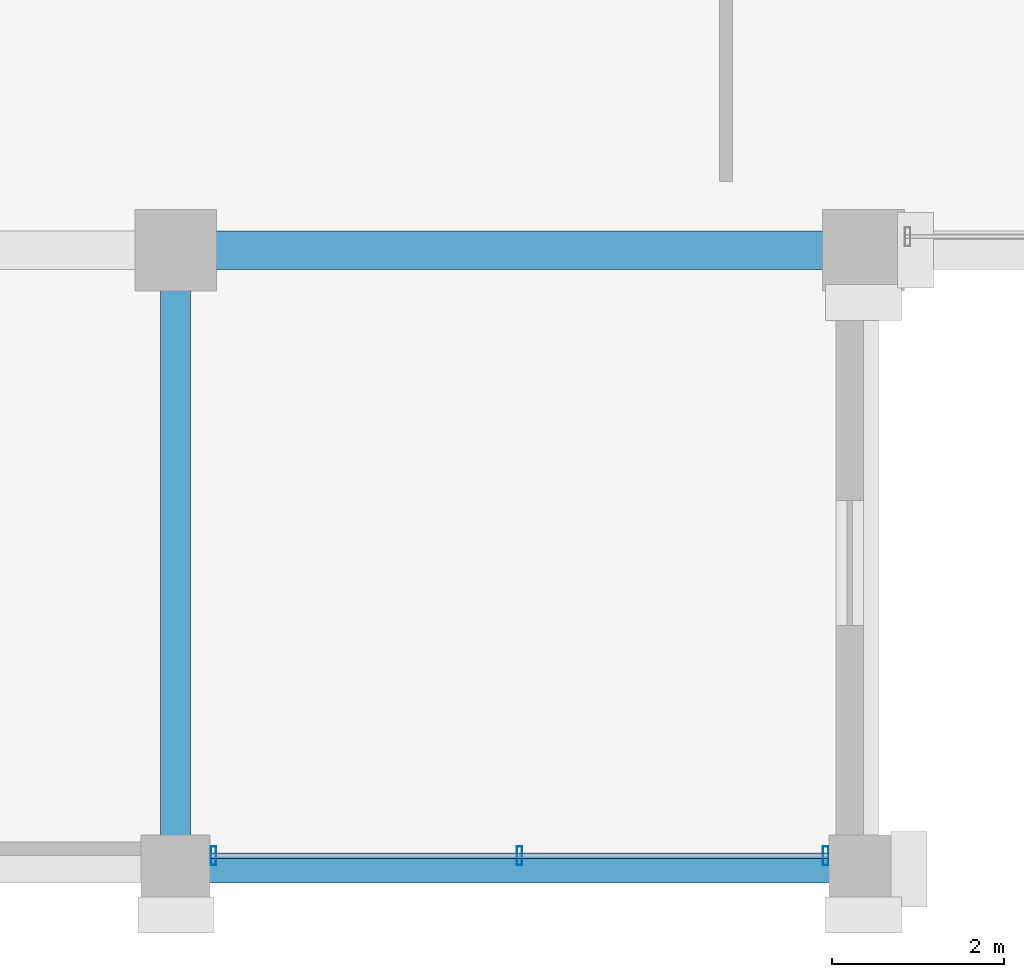
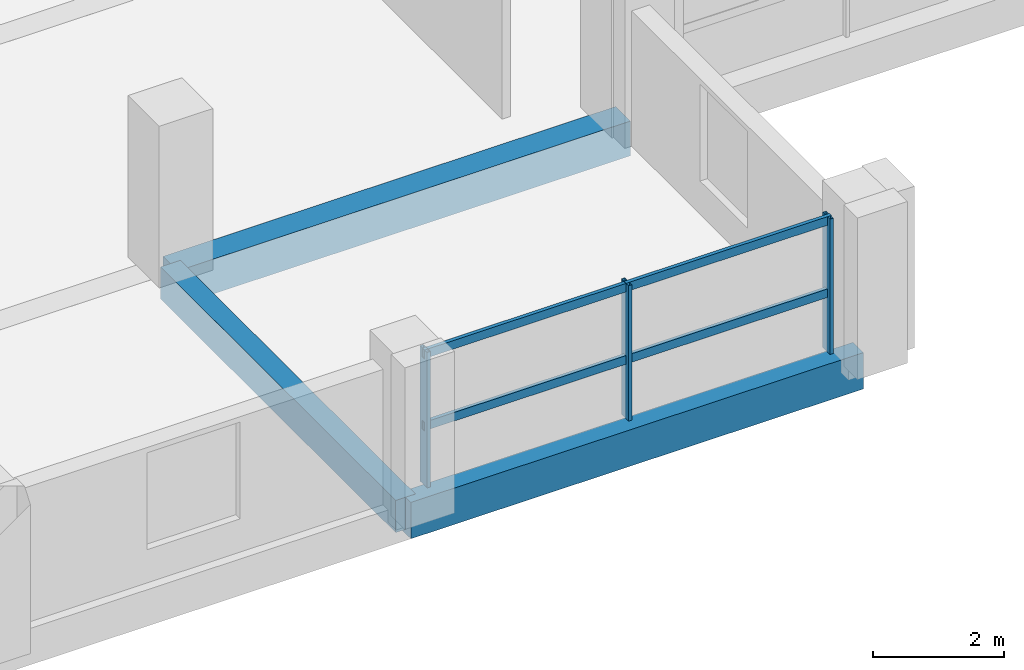
# One storey, part 2 of 23: 5 members, 3 beams, 1 element without a shape of its own.
"""IFC4 building model written with IfcOpenShell, lengths in metres."""

import ifcopenshell
import ifcopenshell.guid

model = None  # the IFC model being written
_history = None  # IfcOwnerHistory: only IFC2X3 demands one
_inside = {}  # id of a spatial element -> (the spatial element, [elements in it])
_under = {}  # id of a project, library or spatial element -> (it, [spatial elements below it])
_declared = {}  # id of a project -> (the project, [libraries it declares])
_typed = {}  # id of a type object -> (the type object, [elements of that type])
_made_of = {}  # id of a material, layer set ... -> (it, [elements and type objects made of it])


def new_model(schema):
    """Start an empty IFC model of exactly this schema.

    Asked for "IFC4X3", IfcOpenShell would pick the latest addendum, in which some entities
    have other attributes; the version numbers below select the first issue.
    IFC2X3 requires an IfcOwnerHistory on every rooted entity: one is made here for all.
    """
    global model, _history
    if schema == "IFC4X3":
        model = ifcopenshell.file(schema_version=(4, 3, 0, 0))
    else:
        model = ifcopenshell.file(schema=schema)
    _inside.clear()
    _under.clear()
    _declared.clear()
    _typed.clear()
    _made_of.clear()
    _history = None
    if model.schema == "IFC2X3":
        org = make("IfcOrganization", Name="unknown")
        user = make(
            "IfcPersonAndOrganization",
            ThePerson=make("IfcPerson", FamilyName="unknown"),
            TheOrganization=org,
        )
        app = make(
            "IfcApplication",
            ApplicationDeveloper=org,
            Version="unknown",
            ApplicationFullName="unknown",
            ApplicationIdentifier="unknown",
        )
        _history = make(
            "IfcOwnerHistory",
            OwningUser=user,
            OwningApplication=app,
            ChangeAction="ADDED",
            CreationDate=0,
        )
    return model


def make(cls, **values):
    """One entity of the class cls with the attributes given. An attribute that is None is left unset."""
    return model.create_entity(
        cls, **{name: value for name, value in values.items() if value is not None}
    )


def rooted(cls, **values):
    """An entity with a GlobalId (a new one), such as an element, a storey or a relation."""
    return make(cls, GlobalId=ifcopenshell.guid.new(), OwnerHistory=_history, **values)


def si_unit(unit_type, name, prefix=None):
    """IfcSIUnit, for example si_unit("LENGTHUNIT", "METRE", prefix="MILLI")."""
    return make("IfcSIUnit", UnitType=unit_type, Prefix=prefix, Name=name)


def assignment(units):
    """IfcUnitAssignment: the units of a project."""
    return None if units is None else make("IfcUnitAssignment", Units=units)


def point(xyz):
    """IfcCartesianPoint."""
    return None if xyz is None else make("IfcCartesianPoint", Coordinates=xyz)


def direction(xyz):
    """IfcDirection."""
    return None if xyz is None else make("IfcDirection", DirectionRatios=xyz)


def frame(location, z_axis=None, x_axis=None):
    """IfcAxis2Placement3D, a coordinate frame: its origin and axes. An axis left out is left unset."""
    return make(
        "IfcAxis2Placement3D",
        Location=point(location),
        Axis=direction(z_axis),
        RefDirection=direction(x_axis),
    )


def frame_2d(location, x_axis=None):
    """IfcAxis2Placement2D, a coordinate frame in the plane: its origin and x axis."""
    return make(
        "IfcAxis2Placement2D", Location=point(location), RefDirection=direction(x_axis)
    )


def origin():
    """The frame at (0, 0, 0) with its axes left unset."""
    return frame((0.0, 0.0, 0.0))


def origin_2d():
    """The frame at (0, 0) in the plane with its x axis left unset."""
    return frame_2d((0.0, 0.0))


def place(relative_to, where):
    """IfcLocalPlacement: puts the frame where relative to a parent placement (None: the world)."""
    return make(
        "IfcLocalPlacement", PlacementRelTo=relative_to, RelativePlacement=where
    )


def context(
    kind, dimensions, precision=None, world=None, true_north=None, identifier=None
):
    """IfcGeometricRepresentationContext, for example the 3D "Model" context."""
    return make(
        "IfcGeometricRepresentationContext",
        ContextIdentifier=identifier,
        ContextType=kind,
        CoordinateSpaceDimension=dimensions,
        Precision=precision,
        WorldCoordinateSystem=world,
        TrueNorth=true_north,
    )


def subcontext(parent, identifier, kind, view, scale=None):
    """IfcGeometricRepresentationSubContext, for example "Body" below "Model"."""
    return make(
        "IfcGeometricRepresentationSubContext",
        ContextIdentifier=identifier,
        ContextType=kind,
        ParentContext=parent,
        TargetScale=scale,
        TargetView=view,
    )


def project(units=None, contexts=None):
    """IfcProject with its units and contexts."""
    return rooted(
        "IfcProject",
        Name="project",
        RepresentationContexts=contexts,
        UnitsInContext=assignment(units),
    )


def spatial(cls, under=None, at=None, **own):
    """A site, building, storey or space (cls), placed at a placement, below another one or the project."""
    s = rooted(cls, ObjectPlacement=at, **own)
    if under is not None:
        _under.setdefault(under.id(), (under, []))[1].append(s)
    return s


def profile(cls, at=None, kind="AREA", **sizes):
    """A parametric profile (cls). Its sizes go by their IFC names, for example OverallWidth=200.0."""
    return make(cls, ProfileType=kind, Position=at, **sizes)


def rectangle(**sizes):
    """IfcRectangleProfileDef."""
    return profile("IfcRectangleProfileDef", **sizes)


def hollow_rectangle(**sizes):
    """IfcRectangleHollowProfileDef."""
    return profile("IfcRectangleHollowProfileDef", **sizes)


def extrude(swept, where, along, depth):
    """IfcExtrudedAreaSolid: the profile swept, set in the frame where, extruded along a direction by depth."""
    return make(
        "IfcExtrudedAreaSolid",
        SweptArea=swept,
        Position=where,
        ExtrudedDirection=direction(along),
        Depth=depth,
    )


def shape(context_of_items, identifier, shape_type, items):
    """IfcShapeRepresentation: the items that make up one representation, for example the "Body"."""
    return make(
        "IfcShapeRepresentation",
        ContextOfItems=context_of_items,
        RepresentationIdentifier=identifier,
        RepresentationType=shape_type,
        Items=items,
    )


def material(Name=None, Category=None):
    """IfcMaterial."""
    return make("IfcMaterial", Name=Name, Category=Category)


def material_profile(
    of_material, cross_section, Name=None, Category=None, Priority=None
):
    """IfcMaterialProfile: a cross section and its material."""
    return make(
        "IfcMaterialProfile",
        Name=Name,
        Material=of_material,
        Profile=cross_section,
        Priority=Priority,
        Category=Category,
    )


def profile_set(profiles, Name=None, composite=None):
    """IfcMaterialProfileSet."""
    return make(
        "IfcMaterialProfileSet",
        Name=Name,
        MaterialProfiles=profiles,
        CompositeProfile=composite,
    )


def made_of(thing, what):
    """Note that an element or type object is made of a material, layer set ...; save() writes the relation."""
    if what is not None:
        _made_of.setdefault(what.id(), (what, []))[1].append(thing)
    return thing


def type_object(cls, material=None, **own):
    """A type object (cls), such as IfcWallType, which elements share."""
    return made_of(rooted(cls, **own), material)


def element(
    cls,
    number,
    at=None,
    inside=None,
    cuts=None,
    type_object=None,
    material=None,
    context=None,
    identifier="Body",
    shape_type=None,
    held_by="IfcProductDefinitionShape",
    body=None,
    shapes=None,
    **own,
):
    """One element of the class cls, such as IfcWall. Its Tag is "e" and its number.

    at: its placement. inside: the storey or other place that contains it. cuts: it is an
    opening in that element (IfcRelVoidsElement). A single representation is given by context,
    identifier, shape_type and body (its items); several are given by shapes. held_by: the class
    of the entity that holds the representations. save() writes the other relations.
    """
    e = rooted(cls, Tag="e%d" % number, ObjectPlacement=at, **own)
    if body is not None:
        shapes = [shape(context, identifier, shape_type, body)]
    if shapes is not None:
        e.Representation = make(held_by, Representations=shapes)
    if inside is not None:
        _inside.setdefault(inside.id(), (inside, []))[1].append(e)
    if cuts is not None:
        rooted(
            "IfcRelVoidsElement", RelatingBuildingElement=cuts, RelatedOpeningElement=e
        )
    if type_object is not None:
        _typed.setdefault(type_object.id(), (type_object, []))[1].append(e)
    return made_of(e, material)


def aggregate(whole, parts):
    """IfcRelAggregates: a whole, such as a stair, and the parts it consists of."""
    return rooted("IfcRelAggregates", RelatingObject=whole, RelatedObjects=parts)


def save(model, path):
    """Write the relations noted so far, then the file.

    IfcRelAggregates (storeys below a building ...), IfcRelContainedInSpatialStructure (elements
    in a storey), IfcRelDefinesByType, IfcRelAssociatesMaterial and IfcRelDeclares: one each for
    every whole, place, type object, material and project.
    """
    for whole, parts in _under.values():
        aggregate(whole, parts)
    for where, things in _inside.values():
        rooted(
            "IfcRelContainedInSpatialStructure",
            RelatedElements=things,
            RelatingStructure=where,
        )
    for kind, things in _typed.values():
        rooted("IfcRelDefinesByType", RelatedObjects=things, RelatingType=kind)
    for what, things in _made_of.values():
        rooted("IfcRelAssociatesMaterial", RelatedObjects=things, RelatingMaterial=what)
    for by, libraries in _declared.values():
        rooted("IfcRelDeclares", RelatingContext=by, RelatedDefinitions=libraries)
    model.write(path)


model = new_model("IFC4")

# Units and contexts
model_context = context("Model", 3, precision=1e-05, world=origin(), true_north=direction((0.0, 1.0)))
body_context = subcontext(model_context, "Body", "Model", "MODEL_VIEW")
ifc_project = project(units=[si_unit("LENGTHUNIT", "METRE"), si_unit("AREAUNIT", "SQUARE_METRE"), si_unit("VOLUMEUNIT", "CUBIC_METRE"), si_unit("PLANEANGLEUNIT", "RADIAN"), si_unit("MASSUNIT", "GRAM", prefix="KILO")], contexts=[model_context])

# Site, building, storey
site_placement = place(None, origin())
site = spatial("IfcSite", under=ifc_project, at=site_placement, CompositionType="ELEMENT")
building_placement = place(site_placement, origin())
building = spatial("IfcBuilding", under=site, at=building_placement, Name="Akrevak Sports Hall", CompositionType="ELEMENT")
storey_placement = place(building_placement, frame((0.0, 0.0, 47.050048828125)))
storey = spatial("IfcBuildingStorey", under=building, at=storey_placement, Name="L11", CompositionType="ELEMENT", Elevation=47.050048828125)

# Curtain wall, members
ifc_material_1 = material(Name="Anodized Bronze Aluminium & Low-E Glass", Category="aluminium")
curtain_wall_type = type_object("IfcCurtainWallType", Name="ARC-CW-TWR-56x30", PredefinedType="NOTDEFINED", material=ifc_material_1)
curtain_wall_placement = place(storey_placement, origin())
curtain_wall = element("IfcCurtainWall", 1, at=curtain_wall_placement, inside=storey, type_object=curtain_wall_type, Name="Curtain Wall CW-L11-S02", PredefinedType="NOTDEFINED")
ifc_material_2 = material(Name="Anodized Bronze Aluminium", Category="aluminium")
ifc_material_profile_1 = material_profile(ifc_material_2, hollow_rectangle(XDim=0.06494140625, YDim=0.219970703125, WallThickness=0.00439453125, at=origin_2d()), Name="CWM 65x220", Category="aluminium")
ifc_profile_set_1 = profile_set([ifc_material_profile_1], Name="Anodized Bronze Aluminium")
member_type_1 = type_object("IfcMemberType", Name="ARC-CWM-70x160", PredefinedType="MULLION", material=ifc_profile_set_1)
member_1_placement = place(storey_placement, frame((60.43994140625, 21.760009765625, 0.0), z_axis=(0.0, 0.0, 1.0), x_axis=(1.0, 0.0, 0.0)))
member_1 = element("IfcMember", 2, at=member_1_placement, type_object=member_type_1, Name="Curtain Wall Mullion CW-L11-S02-M1", PredefinedType="MULLION", context=body_context, shape_type="SweptSolid", body=[
    extrude(hollow_rectangle(XDim=0.06494140625, YDim=0.219970703125, WallThickness=0.00439453125, at=origin_2d()), origin(), (0.0, 0.0, 1.0), 2.530029296875),
])
member_2_placement = place(storey_placement, frame((64.0, 21.760009765625, 0.0), z_axis=(0.0, 0.0, 1.0), x_axis=(1.0, 0.0, 0.0)))
member_2 = element("IfcMember", 3, at=member_2_placement, type_object=member_type_1, Name="Curtain Wall Mullion CW-L11-S02-M2", PredefinedType="MULLION", context=body_context, shape_type="SweptSolid", body=[
    extrude(hollow_rectangle(XDim=0.06494140625, YDim=0.219970703125, WallThickness=0.00439453125, at=origin_2d()), origin(), (0.0, 0.0, 1.0), 2.530029296875),
])
member_3_placement = place(storey_placement, frame((67.56005859375, 21.760009765625, 0.0), z_axis=(0.0, 0.0, 1.0), x_axis=(1.0, 0.0, 0.0)))
member_3 = element("IfcMember", 4, at=member_3_placement, type_object=member_type_1, Name="Curtain Wall Mullion CW-L11-S02-M3", PredefinedType="MULLION", context=body_context, shape_type="SweptSolid", body=[
    extrude(hollow_rectangle(XDim=0.06494140625, YDim=0.219970703125, WallThickness=0.00439453125, at=origin_2d()), origin(), (0.0, 0.0, 1.0), 2.530029296875),
])
ifc_material_profile_2 = material_profile(ifc_material_2, hollow_rectangle(XDim=0.06494140625, YDim=0.159912109375, WallThickness=0.00390625, at=origin_2d()), Name="CWT 65x160", Category="aluminium")
ifc_profile_set_2 = profile_set([ifc_material_profile_2], Name="Anodized Bronze Aluminium")
member_type_2 = type_object("IfcMemberType", Name="ARC-CWT-70x130", PredefinedType="USERDEFINED", material=ifc_profile_set_2)
member_4_placement = place(storey_placement, frame((60.39990234375, 21.760009765625, 1.099853515625), z_axis=(1.0, 0.0, 0.0), x_axis=(0.0, 1.0, 0.0)))
member_4 = element("IfcMember", 5, at=member_4_placement, type_object=member_type_2, Name="Curtain Wall Transom CW-L11-S02-T1", ObjectType="TRANSOM", PredefinedType="USERDEFINED", context=body_context, shape_type="SweptSolid", body=[
    extrude(hollow_rectangle(XDim=0.06494140625, YDim=0.159912109375, WallThickness=0.00390625, at=origin_2d()), origin(), (0.0, 0.0, 1.0), 7.2001953125),
])
member_5_placement = place(storey_placement, frame((60.39990234375, 21.760009765625, 2.449951171875), z_axis=(1.0, 0.0, 0.0), x_axis=(0.0, 1.0, 0.0)))
member_5 = element("IfcMember", 6, at=member_5_placement, type_object=member_type_2, Name="Curtain Wall Transom CW-L11-S02-T2", ObjectType="TRANSOM", PredefinedType="USERDEFINED", context=body_context, shape_type="SweptSolid", body=[
    extrude(hollow_rectangle(XDim=0.06494140625, YDim=0.159912109375, WallThickness=0.00390625, at=origin_2d()), origin(), (0.0, 0.0, 1.0), 7.2001953125),
])
aggregate(curtain_wall, [member_1, member_2, member_3, member_4, member_5])

# Beams
ifc_material_3 = material(Name="Concrete C40/50", Category="concrete")
ifc_material_profile_3 = material_profile(ifc_material_3, rectangle(XDim=0.35009765625, YDim=0.60009765625, at=origin_2d()), Name="BM 350x600", Category="concrete")
ifc_profile_set_3 = profile_set([ifc_material_profile_3], Name="Concrete C40/50")
beam_type_1 = type_object("IfcBeamType", Name="STR-BM-RC350x600", PredefinedType="BEAM", material=ifc_profile_set_3)
beam_1_placement = place(storey_placement, frame((60.0, 21.60009765625, -0.300048828125), z_axis=(0.0, 1.0, 0.0), x_axis=(-1.0, 0.0, 0.0)))
element("IfcBeam", 7, at=beam_1_placement, inside=storey, type_object=beam_type_1, Name="Girder 9/D-E (L11)", PredefinedType="BEAM", context=body_context, shape_type="SweptSolid", body=[
    extrude(rectangle(XDim=0.35009765625, YDim=0.60009765625, at=origin_2d()), origin(), (0.0, 0.0, 1.0), 7.199951171875),
])
ifc_material_profile_4 = material_profile(ifc_material_3, rectangle(XDim=0.449951171875, YDim=0.64990234375, at=origin_2d()), Name="BM 450x650", Category="concrete")
ifc_profile_set_4 = profile_set([ifc_material_profile_4], Name="Concrete C40/50")
beam_type_2 = type_object("IfcBeamType", Name="STR-BM-RC450x650", PredefinedType="BEAM", material=ifc_profile_set_4)
beam_2_placement = place(storey_placement, frame((60.0, 28.800048828125, -0.324951171875), z_axis=(1.0, 0.0, 0.0), x_axis=(0.0, 1.0, 0.0)))
element("IfcBeam", 8, at=beam_2_placement, inside=storey, type_object=beam_type_2, Name="Girder E/9-10 (L11)", PredefinedType="BEAM", context=body_context, shape_type="SweptSolid", body=[
    extrude(rectangle(XDim=0.449951171875, YDim=0.64990234375, at=origin_2d()), origin(), (0.0, 0.0, 1.0), 8.0),
])
ifc_material_profile_5 = material_profile(ifc_material_3, rectangle(XDim=0.320068359375, YDim=0.679931640625, at=origin_2d()), Name="SPD 320x680", Category="concrete")
ifc_profile_set_5 = profile_set([ifc_material_profile_5], Name="Concrete C40/50")
beam_type_3 = type_object("IfcBeamType", Name="STR-SPD-RC320x680", PredefinedType="SPANDREL", material=ifc_profile_set_5)
beam_3_placement = place(storey_placement, frame((60.0, 21.60009765625, -0.340087890625), z_axis=(1.0, 0.0, 0.0), x_axis=(0.0, 1.0, 0.0)))
element("IfcBeam", 9, at=beam_3_placement, inside=storey, type_object=beam_type_3, Name="Girder D/9-10 (L11)", PredefinedType="SPANDREL", context=body_context, shape_type="SweptSolid", body=[
    extrude(rectangle(XDim=0.320068359375, YDim=0.679931640625, at=origin_2d()), origin(), (0.0, 0.0, 1.0), 8.0),
])

save(model, "model.ifc")
